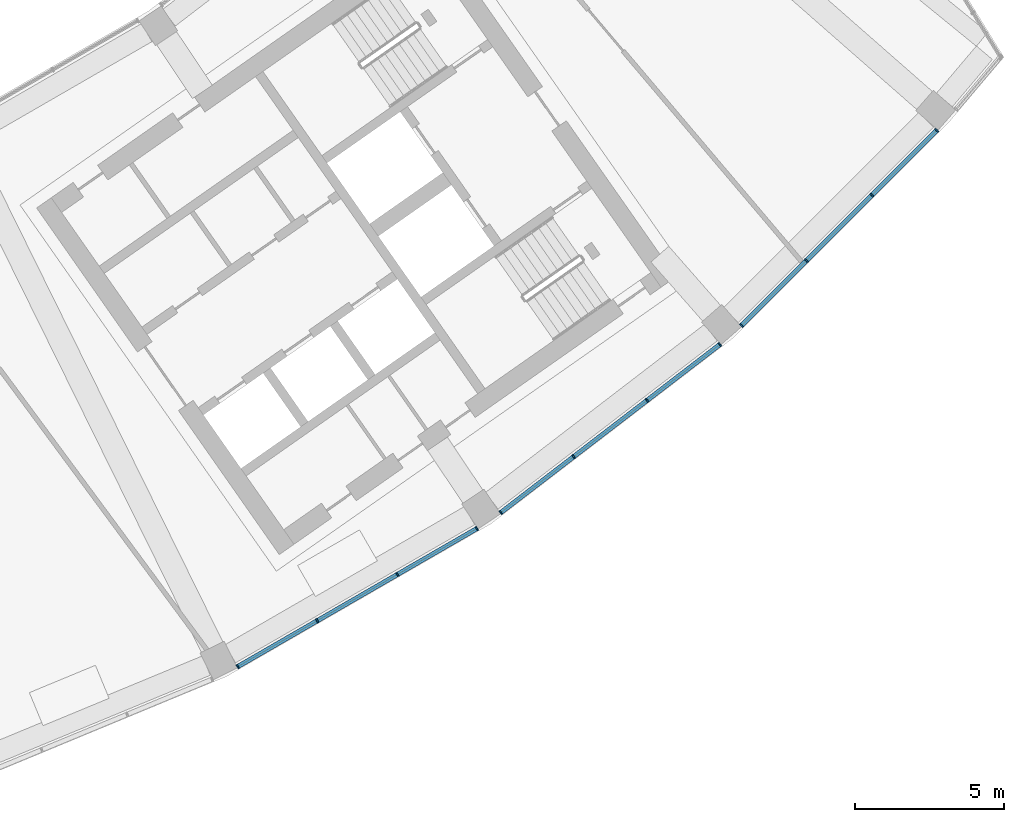
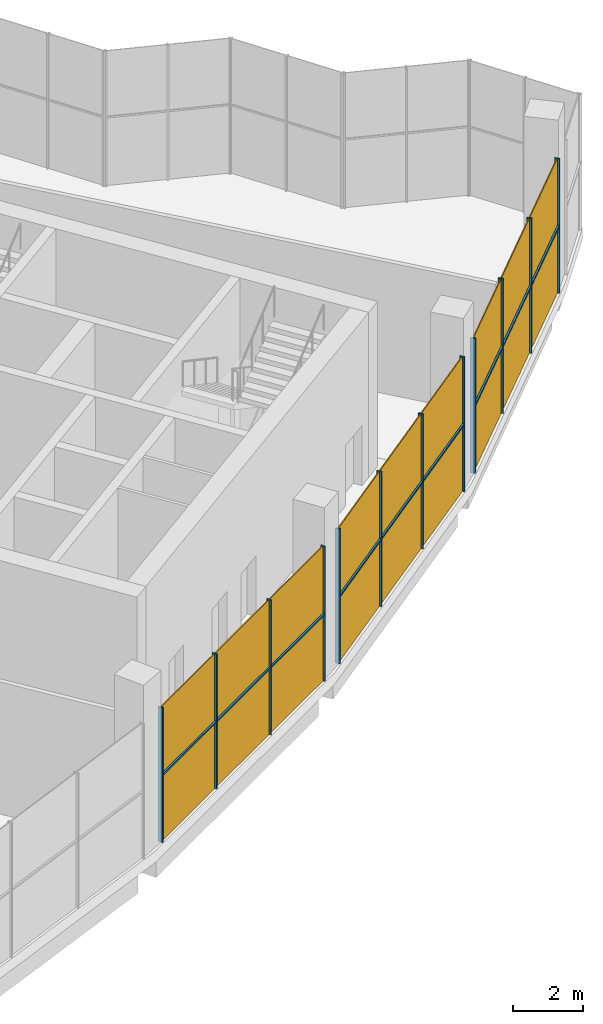
# One storey, part 35 of 41: 21 members, 3 curtain walls.
"""IFC4 building model written with IfcOpenShell, lengths in metres."""

from ifc_helpers import new_model, si_unit, direction, frame, origin, origin_2d, place, context, subcontext, project, spatial, rectangle, extrude, material, material_profile, profile_set, type_object, element, aggregate, save


model = new_model("IFC4")

# Units and contexts
model_context = context("Model", 3, precision=1e-05, world=origin(), true_north=direction((0.0, 1.0)))
body_context = subcontext(model_context, "Body", "Model", "MODEL_VIEW")
ifc_project = project(units=[si_unit("LENGTHUNIT", "METRE"), si_unit("AREAUNIT", "SQUARE_METRE"), si_unit("VOLUMEUNIT", "CUBIC_METRE"), si_unit("PLANEANGLEUNIT", "RADIAN"), si_unit("MASSUNIT", "GRAM", prefix="KILO")], contexts=[model_context])

# Member
ifc_material = material(Name="Aluminium 6063-T6 anodised", Category="aluminium")
ifc_material_profile_1 = material_profile(ifc_material, rectangle(XDim=0.14990234375, YDim=0.050048828125, at=origin_2d()))
ifc_profile_set_1 = profile_set([ifc_material_profile_1], Name="Aluminium 6063-T6 anodised")
member_type_1 = type_object("IfcMemberType", Name="Mullion 50 x 150 aluminium, frameless", PredefinedType="MULLION", material=ifc_profile_set_1)
site_placement = place(None, origin())
building_placement = place(site_placement, origin())
storey_placement = place(building_placement, frame((0.0, 0.0, 284.699951171875)))
member_1_placement = place(storey_placement, frame((35.027587890625, -69.9384765625, 0.0), z_axis=(0.0, 0.0, 1.0), x_axis=(-0.5, 0.866025403784, 0.0)))
member_1 = element("IfcMember", 1, at=member_1_placement, type_object=member_type_1, Name="e-cw3-L69-out11/M00", PredefinedType="MULLION", context=body_context, shape_type="SweptSolid", body=[
    extrude(rectangle(XDim=0.14990234375, YDim=0.050048828125, at=origin_2d()), origin(), (0.0, 0.0, 1.0), 4.699951171875),
])

member_2_placement = place(storey_placement, frame((37.696044921875, -68.397705078125, 0.0), z_axis=(0.0, 0.0, 1.0), x_axis=(-0.5, 0.866025403784, 0.0)))
member_2 = element("IfcMember", 2, at=member_2_placement, type_object=member_type_1, Name="e-cw3-L69-out11/M01", PredefinedType="MULLION", context=body_context, shape_type="SweptSolid", body=[
    extrude(rectangle(XDim=0.14990234375, YDim=0.050048828125, at=origin_2d()), origin(), (0.0, 0.0, 1.0), 4.699951171875),
])

member_3_placement = place(storey_placement, frame((40.38623046875, -66.8447265625, 0.0), z_axis=(0.0, 0.0, 1.0), x_axis=(-0.5, 0.866025403784, 0.0)))
member_3 = element("IfcMember", 3, at=member_3_placement, type_object=member_type_1, Name="e-cw3-L69-out11/M02", PredefinedType="MULLION", context=body_context, shape_type="SweptSolid", body=[
    extrude(rectangle(XDim=0.14990234375, YDim=0.050048828125, at=origin_2d()), origin(), (0.0, 0.0, 1.0), 4.699951171875),
])

member_4_placement = place(storey_placement, frame((43.0546875, -65.303955078125, 0.0), z_axis=(0.0, 0.0, 1.0), x_axis=(-0.5, 0.866025403784, 0.0)))
member_4 = element("IfcMember", 4, at=member_4_placement, type_object=member_type_1, Name="e-cw3-L69-out11/M03", PredefinedType="MULLION", context=body_context, shape_type="SweptSolid", body=[
    extrude(rectangle(XDim=0.14990234375, YDim=0.050048828125, at=origin_2d()), origin(), (0.0, 0.0, 1.0), 4.699951171875),
])

member_5_placement = place(storey_placement, frame((43.856689453125, -64.76806640625, 0.0), z_axis=(0.0, 0.0, 1.0), x_axis=(-0.608761429009, 0.793353340291, 0.0)))
member_5 = element("IfcMember", 5, at=member_5_placement, type_object=member_type_1, Name="e-cw3-L69-out12/M00", PredefinedType="MULLION", context=body_context, shape_type="SweptSolid", body=[
    extrude(rectangle(XDim=0.14990234375, YDim=0.050048828125, at=origin_2d()), origin(), (0.0, 0.0, 1.0), 4.699951171875),
])

member_6_placement = place(storey_placement, frame((46.30126953125, -62.892333984375, 0.0), z_axis=(0.0, 0.0, 1.0), x_axis=(-0.608761429009, 0.793353340291, 0.0)))
member_6 = element("IfcMember", 6, at=member_6_placement, type_object=member_type_1, Name="e-cw3-L69-out12/M01", PredefinedType="MULLION", context=body_context, shape_type="SweptSolid", body=[
    extrude(rectangle(XDim=0.14990234375, YDim=0.050048828125, at=origin_2d()), origin(), (0.0, 0.0, 1.0), 4.699951171875),
])

member_7_placement = place(storey_placement, frame((48.765625, -61.001220703125, 0.0), z_axis=(0.0, 0.0, 1.0), x_axis=(-0.608761429009, 0.793353340291, 0.0)))
member_7 = element("IfcMember", 7, at=member_7_placement, type_object=member_type_1, Name="e-cw3-L69-out12/M02", PredefinedType="MULLION", context=body_context, shape_type="SweptSolid", body=[
    extrude(rectangle(XDim=0.14990234375, YDim=0.050048828125, at=origin_2d()), origin(), (0.0, 0.0, 1.0), 4.699951171875),
])

member_8_placement = place(storey_placement, frame((51.210205078125, -59.12548828125, 0.0), z_axis=(0.0, 0.0, 1.0), x_axis=(-0.608761429009, 0.793353340291, 0.0)))
member_8 = element("IfcMember", 8, at=member_8_placement, type_object=member_type_1, Name="e-cw3-L69-out12/M03", PredefinedType="MULLION", context=body_context, shape_type="SweptSolid", body=[
    extrude(rectangle(XDim=0.14990234375, YDim=0.050048828125, at=origin_2d()), origin(), (0.0, 0.0, 1.0), 4.699951171875),
])

member_9_placement = place(storey_placement, frame((51.935546875, -58.489501953125, 0.0), z_axis=(0.0, 0.0, 1.0), x_axis=(-0.707106781187, 0.707106781187, 0.0)))
member_9 = element("IfcMember", 9, at=member_9_placement, type_object=member_type_1, Name="e-cw3-L69-out13/M00", PredefinedType="MULLION", context=body_context, shape_type="SweptSolid", body=[
    extrude(rectangle(XDim=0.14990234375, YDim=0.050048828125, at=origin_2d()), origin(), (0.0, 0.0, 1.0), 4.699951171875),
])

member_10_placement = place(storey_placement, frame((54.1142578125, -56.310791015625, 0.0), z_axis=(0.0, 0.0, 1.0), x_axis=(-0.707106781187, 0.707106781187, 0.0)))
member_10 = element("IfcMember", 10, at=member_10_placement, type_object=member_type_1, Name="e-cw3-L69-out13/M01", PredefinedType="MULLION", context=body_context, shape_type="SweptSolid", body=[
    extrude(rectangle(XDim=0.14990234375, YDim=0.050048828125, at=origin_2d()), origin(), (0.0, 0.0, 1.0), 4.699951171875),
])

member_11_placement = place(storey_placement, frame((56.310791015625, -54.1142578125, 0.0), z_axis=(0.0, 0.0, 1.0), x_axis=(-0.707106781187, 0.707106781187, 0.0)))
member_11 = element("IfcMember", 11, at=member_11_placement, type_object=member_type_1, Name="e-cw3-L69-out13/M02", PredefinedType="MULLION", context=body_context, shape_type="SweptSolid", body=[
    extrude(rectangle(XDim=0.14990234375, YDim=0.050048828125, at=origin_2d()), origin(), (0.0, 0.0, 1.0), 4.699951171875),
])

member_12_placement = place(storey_placement, frame((58.489501953125, -51.935546875, 0.0), z_axis=(0.0, 0.0, 1.0), x_axis=(-0.707106781187, 0.707106781187, 0.0)))
member_12 = element("IfcMember", 12, at=member_12_placement, type_object=member_type_1, Name="e-cw3-L69-out13/M03", PredefinedType="MULLION", context=body_context, shape_type="SweptSolid", body=[
    extrude(rectangle(XDim=0.14990234375, YDim=0.050048828125, at=origin_2d()), origin(), (0.0, 0.0, 1.0), 4.699951171875),
])

ifc_material_profile_2 = material_profile(ifc_material, rectangle(XDim=0.14990234375, YDim=0.050048828125, at=origin_2d()))
ifc_profile_set_2 = profile_set([ifc_material_profile_2], Name="Aluminium 6063-T6 anodised")
member_type_2 = type_object("IfcMemberType", Name="Transom 50 x 150 aluminium, frameless", PredefinedType="USERDEFINED", material=ifc_profile_set_2)
member_13_placement = place(storey_placement, frame((35.04931640625, -69.92578125, 2.35009765625), z_axis=(0.866013897511, 0.50001992892, 0.0), x_axis=(-0.50001992892, 0.866013897511, 0.0)))
member_13 = element("IfcMember", 13, at=member_13_placement, type_object=member_type_2, Name="e-cw3-L69-out11/T00", ObjectType="TRANSOM", PredefinedType="USERDEFINED", context=body_context, shape_type="SweptSolid", body=[
    extrude(rectangle(XDim=0.14990234375, YDim=0.050048828125, at=origin_2d()), origin(), (0.0, 0.0, 1.0), 3.03125),
])

member_14_placement = place(storey_placement, frame((37.7177734375, -68.38525390625, 2.35009765625), z_axis=(0.866027280971, 0.499996748603, 0.0), x_axis=(-0.499996748603, 0.866027280971, 0.0)))
member_14 = element("IfcMember", 14, at=member_14_placement, type_object=member_type_2, Name="e-cw3-L69-out11/T01", ObjectType="TRANSOM", PredefinedType="USERDEFINED", context=body_context, shape_type="SweptSolid", body=[
    extrude(rectangle(XDim=0.14990234375, YDim=0.050048828125, at=origin_2d()), origin(), (0.0, 0.0, 1.0), 3.05615234375),
])

member_15_placement = place(storey_placement, frame((40.40771484375, -66.83203125, 2.35009765625), z_axis=(0.86606890606, 0.499924644277, 0.0), x_axis=(-0.499924644277, 0.86606890606, 0.0)))
member_15 = element("IfcMember", 15, at=member_15_placement, type_object=member_type_2, Name="e-cw3-L69-out11/T02", ObjectType="TRANSOM", PredefinedType="USERDEFINED", context=body_context, shape_type="SweptSolid", body=[
    extrude(rectangle(XDim=0.14990234375, YDim=0.050048828125, at=origin_2d()), origin(), (0.0, 0.0, 1.0), 3.03125),
])

member_16_placement = place(storey_placement, frame((43.876708984375, -64.752685546875, 2.35009765625), z_axis=(0.793359985566, 0.60875276862, 0.0), x_axis=(-0.60875276862, 0.793359985566, 0.0)))
member_16 = element("IfcMember", 16, at=member_16_placement, type_object=member_type_2, Name="e-cw3-L69-out12/T00", ObjectType="TRANSOM", PredefinedType="USERDEFINED", context=body_context, shape_type="SweptSolid", body=[
    extrude(rectangle(XDim=0.14990234375, YDim=0.050048828125, at=origin_2d()), origin(), (0.0, 0.0, 1.0), 3.03125),
])

member_17_placement = place(storey_placement, frame((46.321044921875, -62.876953125, 2.35009765625), z_axis=(0.793395454483, 0.608706540794, 0.0), x_axis=(-0.608706540794, 0.793395454483, 0.0)))
member_17 = element("IfcMember", 17, at=member_17_placement, type_object=member_type_2, Name="e-cw3-L69-out12/T01", ObjectType="TRANSOM", PredefinedType="USERDEFINED", context=body_context, shape_type="SweptSolid", body=[
    extrude(rectangle(XDim=0.14990234375, YDim=0.050048828125, at=origin_2d()), origin(), (0.0, 0.0, 1.0), 3.05615234375),
])

member_18_placement = place(storey_placement, frame((48.785400390625, -60.986083984375, 2.35009765625), z_axis=(0.793359985566, 0.60875276862, 0.0), x_axis=(-0.60875276862, 0.793359985566, 0.0)))
member_18 = element("IfcMember", 18, at=member_18_placement, type_object=member_type_2, Name="e-cw3-L69-out12/T02", ObjectType="TRANSOM", PredefinedType="USERDEFINED", context=body_context, shape_type="SweptSolid", body=[
    extrude(rectangle(XDim=0.14990234375, YDim=0.050048828125, at=origin_2d()), origin(), (0.0, 0.0, 1.0), 3.03125),
])

member_19_placement = place(storey_placement, frame((51.953125, -58.4716796875, 2.35009765625), z_axis=(0.707147050373, 0.707066509707, 0.0), x_axis=(-0.707066509707, 0.707147050373, 0.0)))
member_19 = element("IfcMember", 19, at=member_19_placement, type_object=member_type_2, Name="e-cw3-L69-out13/T00", ObjectType="TRANSOM", PredefinedType="USERDEFINED", context=body_context, shape_type="SweptSolid", body=[
    extrude(rectangle(XDim=0.14990234375, YDim=0.050048828125, at=origin_2d()), origin(), (0.0, 0.0, 1.0), 3.03125),
])

member_20_placement = place(storey_placement, frame((54.1318359375, -56.29296875, 2.35009765625), z_axis=(0.707106781187, 0.707106781187, 0.0), x_axis=(-0.707106781187, 0.707106781187, 0.0)))
member_20 = element("IfcMember", 20, at=member_20_placement, type_object=member_type_2, Name="e-cw3-L69-out13/T01", ObjectType="TRANSOM", PredefinedType="USERDEFINED", context=body_context, shape_type="SweptSolid", body=[
    extrude(rectangle(XDim=0.14990234375, YDim=0.050048828125, at=origin_2d()), origin(), (0.0, 0.0, 1.0), 3.056396484375),
])

member_21_placement = place(storey_placement, frame((56.328369140625, -54.0966796875, 2.35009765625), z_axis=(0.707066509707, 0.707147050373, 0.0), x_axis=(-0.707147050373, 0.707066509707, 0.0)))
member_21 = element("IfcMember", 21, at=member_21_placement, type_object=member_type_2, Name="e-cw3-L69-out13/T02", ObjectType="TRANSOM", PredefinedType="USERDEFINED", context=body_context, shape_type="SweptSolid", body=[
    extrude(rectangle(XDim=0.14990234375, YDim=0.050048828125, at=origin_2d()), origin(), (0.0, 0.0, 1.0), 3.03125),
])

# Site, building, storey
site = spatial("IfcSite", under=ifc_project, at=site_placement, CompositionType="ELEMENT")
building = spatial("IfcBuilding", under=site, at=building_placement, Name="Qamariyya Broadcast Tower", CompositionType="ELEMENT")
storey = spatial("IfcBuildingStorey", under=building, at=storey_placement, Name="L69", CompositionType="ELEMENT", Elevation=284.699951171875)

# Curtain wall
curtain_wall_type = type_object("IfcCurtainWallType", Name="Observation deck frameless glazing wall", PredefinedType="NOTDEFINED", material=ifc_material)
curtain_wall_1_placement = place(storey_placement, origin())
curtain_wall_1 = element("IfcCurtainWall", 22, at=curtain_wall_1_placement, inside=storey, type_object=curtain_wall_type, Name="e-cw3-L69-out11", PredefinedType="NOTDEFINED", context=body_context, shape_type="SweptSolid", body=[
    extrude(rectangle(XDim=3.03125, YDim=0.031982421875, at=origin_2d()), frame((36.362060546875, -69.168212890625, 0.0), x_axis=(0.866017611601, 0.500013496215, 0.0)), (0.0, 0.0, 1.0), 2.324951171875),
    extrude(rectangle(XDim=3.03125, YDim=0.031982421875, at=origin_2d()), frame((36.362060546875, -69.168212890625, 2.375), x_axis=(0.866017611601, 0.500013496215, 0.0)), (0.0, 0.0, 1.0), 2.324951171875),
    extrude(rectangle(XDim=3.05615234375, YDim=0.031982421875, at=origin_2d()), frame((39.041015625, -67.62109375, 0.0), x_axis=(0.866017611601, 0.500013496215, 0.0)), (0.0, 0.0, 1.0), 2.324951171875),
    extrude(rectangle(XDim=3.05615234375, YDim=0.031982421875, at=origin_2d()), frame((39.041015625, -67.62109375, 2.375), x_axis=(0.866017611601, 0.500013496215, 0.0)), (0.0, 0.0, 1.0), 2.324951171875),
    extrude(rectangle(XDim=3.03125, YDim=0.031982421875, at=origin_2d()), frame((41.72021484375, -66.07421875, 0.0), x_axis=(0.866017611601, 0.500013496215, 0.0)), (0.0, 0.0, 1.0), 2.324951171875),
    extrude(rectangle(XDim=3.03125, YDim=0.031982421875, at=origin_2d()), frame((41.72021484375, -66.07421875, 2.375), x_axis=(0.866017611601, 0.500013496215, 0.0)), (0.0, 0.0, 1.0), 2.324951171875),
])

aggregate(curtain_wall_1, [member_1, member_2, member_3, member_4, member_13, member_14, member_15])

curtain_wall_2_placement = place(storey_placement, origin())
curtain_wall_2 = element("IfcCurtainWall", 23, at=curtain_wall_2_placement, inside=storey, type_object=curtain_wall_type, Name="e-cw3-L69-out12", PredefinedType="NOTDEFINED", context=body_context, shape_type="SweptSolid", body=[
    extrude(rectangle(XDim=3.03125, YDim=0.031982421875, at=origin_2d()), frame((45.0791015625, -63.830078125, 0.0), x_axis=(0.793355818396, 0.608758199466, 0.0)), (0.0, 0.0, 1.0), 2.324951171875),
    extrude(rectangle(XDim=3.03125, YDim=0.031982421875, at=origin_2d()), frame((45.0791015625, -63.830078125, 2.375), x_axis=(0.793355818396, 0.608758199466, 0.0)), (0.0, 0.0, 1.0), 2.324951171875),
    extrude(rectangle(XDim=3.05615234375, YDim=0.031982421875, at=origin_2d()), frame((47.533447265625, -61.94677734375, 0.0), x_axis=(0.793355818396, 0.608758199466, 0.0)), (0.0, 0.0, 1.0), 2.324951171875),
    extrude(rectangle(XDim=3.05615234375, YDim=0.031982421875, at=origin_2d()), frame((47.533447265625, -61.94677734375, 2.375), x_axis=(0.793355818396, 0.608758199466, 0.0)), (0.0, 0.0, 1.0), 2.324951171875),
    extrude(rectangle(XDim=3.03125, YDim=0.031982421875, at=origin_2d()), frame((49.98779296875, -60.0634765625, 0.0), x_axis=(0.793355818396, 0.608758199466, 0.0)), (0.0, 0.0, 1.0), 2.324951171875),
    extrude(rectangle(XDim=3.03125, YDim=0.031982421875, at=origin_2d()), frame((49.98779296875, -60.0634765625, 2.375), x_axis=(0.793355818396, 0.608758199466, 0.0)), (0.0, 0.0, 1.0), 2.324951171875),
])

aggregate(curtain_wall_2, [member_5, member_6, member_7, member_8, member_16, member_17, member_18])

curtain_wall_3_placement = place(storey_placement, origin())
curtain_wall_3 = element("IfcCurtainWall", 24, at=curtain_wall_3_placement, inside=storey, type_object=curtain_wall_type, Name="e-cw3-L69-out13", PredefinedType="NOTDEFINED", context=body_context, shape_type="SweptSolid", body=[
    extrude(rectangle(XDim=3.03125, YDim=0.031982421875, at=origin_2d()), frame((53.02490234375, -57.39990234375, 0.0), x_axis=(0.707106781187, 0.707106781187, 0.0)), (0.0, 0.0, 1.0), 2.324951171875),
    extrude(rectangle(XDim=3.03125, YDim=0.031982421875, at=origin_2d()), frame((53.02490234375, -57.39990234375, 2.375), x_axis=(0.707106781187, 0.707106781187, 0.0)), (0.0, 0.0, 1.0), 2.324951171875),
    extrude(rectangle(XDim=3.05615234375, YDim=0.031982421875, at=origin_2d()), frame((55.21240234375, -55.21240234375, 0.0), x_axis=(0.707106781187, 0.707106781187, 0.0)), (0.0, 0.0, 1.0), 2.324951171875),
    extrude(rectangle(XDim=3.05615234375, YDim=0.031982421875, at=origin_2d()), frame((55.21240234375, -55.21240234375, 2.375), x_axis=(0.707106781187, 0.707106781187, 0.0)), (0.0, 0.0, 1.0), 2.324951171875),
    extrude(rectangle(XDim=3.03125, YDim=0.031982421875, at=origin_2d()), frame((57.39990234375, -53.02490234375, 0.0), x_axis=(0.707106781187, 0.707106781187, 0.0)), (0.0, 0.0, 1.0), 2.324951171875),
    extrude(rectangle(XDim=3.03125, YDim=0.031982421875, at=origin_2d()), frame((57.39990234375, -53.02490234375, 2.375), x_axis=(0.707106781187, 0.707106781187, 0.0)), (0.0, 0.0, 1.0), 2.324951171875),
])

aggregate(curtain_wall_3, [member_9, member_10, member_11, member_12, member_19, member_20, member_21])

save(model, "model.ifc")
